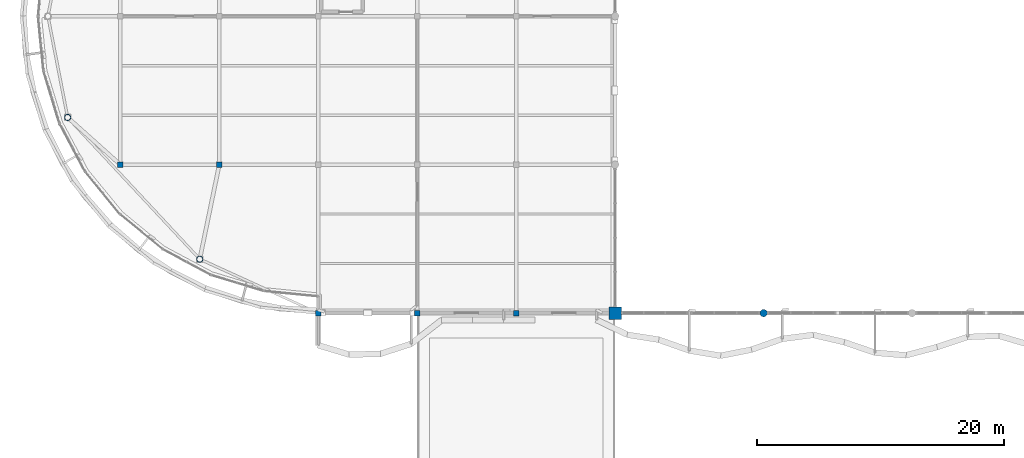
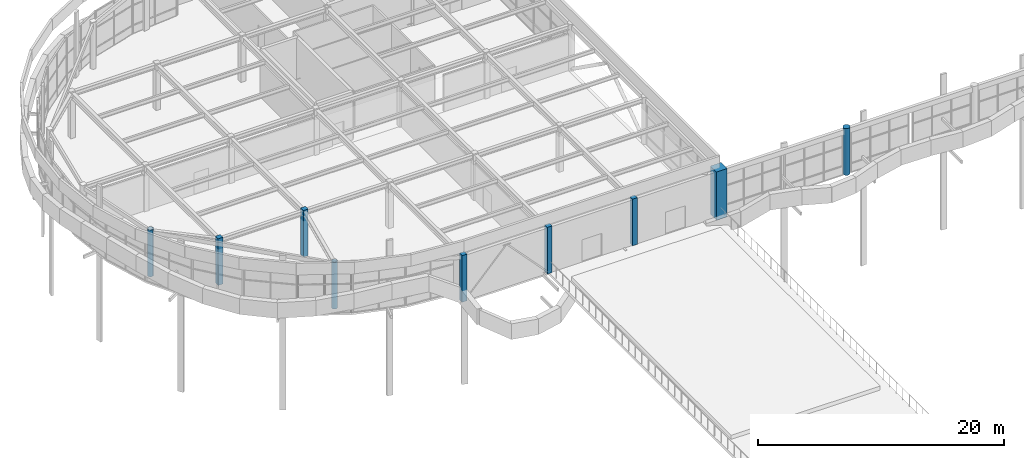
# One storey, part 1 of 63: 9 columns.
"""IFC4 building model written with IfcOpenShell, lengths in metres."""

import ifcopenshell
import ifcopenshell.guid

model = None  # the IFC model being written
_history = None  # IfcOwnerHistory: only IFC2X3 demands one
_inside = {}  # id of a spatial element -> (the spatial element, [elements in it])
_under = {}  # id of a project, library or spatial element -> (it, [spatial elements below it])
_declared = {}  # id of a project -> (the project, [libraries it declares])
_typed = {}  # id of a type object -> (the type object, [elements of that type])
_made_of = {}  # id of a material, layer set ... -> (it, [elements and type objects made of it])


def new_model(schema):
    """Start an empty IFC model of exactly this schema.

    Asked for "IFC4X3", IfcOpenShell would pick the latest addendum, in which some entities
    have other attributes; the version numbers below select the first issue.
    IFC2X3 requires an IfcOwnerHistory on every rooted entity: one is made here for all.
    """
    global model, _history
    if schema == "IFC4X3":
        model = ifcopenshell.file(schema_version=(4, 3, 0, 0))
    else:
        model = ifcopenshell.file(schema=schema)
    _inside.clear()
    _under.clear()
    _declared.clear()
    _typed.clear()
    _made_of.clear()
    _history = None
    if model.schema == "IFC2X3":
        org = make("IfcOrganization", Name="unknown")
        user = make(
            "IfcPersonAndOrganization",
            ThePerson=make("IfcPerson", FamilyName="unknown"),
            TheOrganization=org,
        )
        app = make(
            "IfcApplication",
            ApplicationDeveloper=org,
            Version="unknown",
            ApplicationFullName="unknown",
            ApplicationIdentifier="unknown",
        )
        _history = make(
            "IfcOwnerHistory",
            OwningUser=user,
            OwningApplication=app,
            ChangeAction="ADDED",
            CreationDate=0,
        )
    return model


def make(cls, **values):
    """One entity of the class cls with the attributes given. An attribute that is None is left unset."""
    return model.create_entity(
        cls, **{name: value for name, value in values.items() if value is not None}
    )


def rooted(cls, **values):
    """An entity with a GlobalId (a new one), such as an element, a storey or a relation."""
    return make(cls, GlobalId=ifcopenshell.guid.new(), OwnerHistory=_history, **values)


def si_unit(unit_type, name, prefix=None):
    """IfcSIUnit, for example si_unit("LENGTHUNIT", "METRE", prefix="MILLI")."""
    return make("IfcSIUnit", UnitType=unit_type, Prefix=prefix, Name=name)


def assignment(units):
    """IfcUnitAssignment: the units of a project."""
    return None if units is None else make("IfcUnitAssignment", Units=units)


def point(xyz):
    """IfcCartesianPoint."""
    return None if xyz is None else make("IfcCartesianPoint", Coordinates=xyz)


def direction(xyz):
    """IfcDirection."""
    return None if xyz is None else make("IfcDirection", DirectionRatios=xyz)


def frame(location, z_axis=None, x_axis=None):
    """IfcAxis2Placement3D, a coordinate frame: its origin and axes. An axis left out is left unset."""
    return make(
        "IfcAxis2Placement3D",
        Location=point(location),
        Axis=direction(z_axis),
        RefDirection=direction(x_axis),
    )


def frame_2d(location, x_axis=None):
    """IfcAxis2Placement2D, a coordinate frame in the plane: its origin and x axis."""
    return make(
        "IfcAxis2Placement2D", Location=point(location), RefDirection=direction(x_axis)
    )


def origin():
    """The frame at (0, 0, 0) with its axes left unset."""
    return frame((0.0, 0.0, 0.0))


def origin_2d():
    """The frame at (0, 0) in the plane with its x axis left unset."""
    return frame_2d((0.0, 0.0))


def place(relative_to, where):
    """IfcLocalPlacement: puts the frame where relative to a parent placement (None: the world)."""
    return make(
        "IfcLocalPlacement", PlacementRelTo=relative_to, RelativePlacement=where
    )


def context(
    kind, dimensions, precision=None, world=None, true_north=None, identifier=None
):
    """IfcGeometricRepresentationContext, for example the 3D "Model" context."""
    return make(
        "IfcGeometricRepresentationContext",
        ContextIdentifier=identifier,
        ContextType=kind,
        CoordinateSpaceDimension=dimensions,
        Precision=precision,
        WorldCoordinateSystem=world,
        TrueNorth=true_north,
    )


def subcontext(parent, identifier, kind, view, scale=None):
    """IfcGeometricRepresentationSubContext, for example "Body" below "Model"."""
    return make(
        "IfcGeometricRepresentationSubContext",
        ContextIdentifier=identifier,
        ContextType=kind,
        ParentContext=parent,
        TargetScale=scale,
        TargetView=view,
    )


def project(units=None, contexts=None):
    """IfcProject with its units and contexts."""
    return rooted(
        "IfcProject",
        Name="project",
        RepresentationContexts=contexts,
        UnitsInContext=assignment(units),
    )


def spatial(cls, under=None, at=None, **own):
    """A site, building, storey or space (cls), placed at a placement, below another one or the project."""
    s = rooted(cls, ObjectPlacement=at, **own)
    if under is not None:
        _under.setdefault(under.id(), (under, []))[1].append(s)
    return s


def profile(cls, at=None, kind="AREA", **sizes):
    """A parametric profile (cls). Its sizes go by their IFC names, for example OverallWidth=200.0."""
    return make(cls, ProfileType=kind, Position=at, **sizes)


def rectangle(**sizes):
    """IfcRectangleProfileDef."""
    return profile("IfcRectangleProfileDef", **sizes)


def circle(**sizes):
    """IfcCircleProfileDef."""
    return profile("IfcCircleProfileDef", **sizes)


def hollow_circle(**sizes):
    """IfcCircleHollowProfileDef."""
    return profile("IfcCircleHollowProfileDef", **sizes)


def extrude(swept, where, along, depth):
    """IfcExtrudedAreaSolid: the profile swept, set in the frame where, extruded along a direction by depth."""
    return make(
        "IfcExtrudedAreaSolid",
        SweptArea=swept,
        Position=where,
        ExtrudedDirection=direction(along),
        Depth=depth,
    )


def shape(context_of_items, identifier, shape_type, items):
    """IfcShapeRepresentation: the items that make up one representation, for example the "Body"."""
    return make(
        "IfcShapeRepresentation",
        ContextOfItems=context_of_items,
        RepresentationIdentifier=identifier,
        RepresentationType=shape_type,
        Items=items,
    )


def material(Name=None, Category=None):
    """IfcMaterial."""
    return make("IfcMaterial", Name=Name, Category=Category)


def material_profile(
    of_material, cross_section, Name=None, Category=None, Priority=None
):
    """IfcMaterialProfile: a cross section and its material."""
    return make(
        "IfcMaterialProfile",
        Name=Name,
        Material=of_material,
        Profile=cross_section,
        Priority=Priority,
        Category=Category,
    )


def profile_set(profiles, Name=None, composite=None):
    """IfcMaterialProfileSet."""
    return make(
        "IfcMaterialProfileSet",
        Name=Name,
        MaterialProfiles=profiles,
        CompositeProfile=composite,
    )


def made_of(thing, what):
    """Note that an element or type object is made of a material, layer set ...; save() writes the relation."""
    if what is not None:
        _made_of.setdefault(what.id(), (what, []))[1].append(thing)
    return thing


def type_object(cls, material=None, **own):
    """A type object (cls), such as IfcWallType, which elements share."""
    return made_of(rooted(cls, **own), material)


def element(
    cls,
    number,
    at=None,
    inside=None,
    cuts=None,
    type_object=None,
    material=None,
    context=None,
    identifier="Body",
    shape_type=None,
    held_by="IfcProductDefinitionShape",
    body=None,
    shapes=None,
    **own,
):
    """One element of the class cls, such as IfcWall. Its Tag is "e" and its number.

    at: its placement. inside: the storey or other place that contains it. cuts: it is an
    opening in that element (IfcRelVoidsElement). A single representation is given by context,
    identifier, shape_type and body (its items); several are given by shapes. held_by: the class
    of the entity that holds the representations. save() writes the other relations.
    """
    e = rooted(cls, Tag="e%d" % number, ObjectPlacement=at, **own)
    if body is not None:
        shapes = [shape(context, identifier, shape_type, body)]
    if shapes is not None:
        e.Representation = make(held_by, Representations=shapes)
    if inside is not None:
        _inside.setdefault(inside.id(), (inside, []))[1].append(e)
    if cuts is not None:
        rooted(
            "IfcRelVoidsElement", RelatingBuildingElement=cuts, RelatedOpeningElement=e
        )
    if type_object is not None:
        _typed.setdefault(type_object.id(), (type_object, []))[1].append(e)
    return made_of(e, material)


def aggregate(whole, parts):
    """IfcRelAggregates: a whole, such as a stair, and the parts it consists of."""
    return rooted("IfcRelAggregates", RelatingObject=whole, RelatedObjects=parts)


def save(model, path):
    """Write the relations noted so far, then the file.

    IfcRelAggregates (storeys below a building ...), IfcRelContainedInSpatialStructure (elements
    in a storey), IfcRelDefinesByType, IfcRelAssociatesMaterial and IfcRelDeclares: one each for
    every whole, place, type object, material and project.
    """
    for whole, parts in _under.values():
        aggregate(whole, parts)
    for where, things in _inside.values():
        rooted(
            "IfcRelContainedInSpatialStructure",
            RelatedElements=things,
            RelatingStructure=where,
        )
    for kind, things in _typed.values():
        rooted("IfcRelDefinesByType", RelatedObjects=things, RelatingType=kind)
    for what, things in _made_of.values():
        rooted("IfcRelAssociatesMaterial", RelatedObjects=things, RelatingMaterial=what)
    for by, libraries in _declared.values():
        rooted("IfcRelDeclares", RelatingContext=by, RelatedDefinitions=libraries)
    model.write(path)


model = new_model("IFC4")

# Units and contexts
model_context = context("Model", 3, precision=1e-05, world=origin(), true_north=direction((0.0, 1.0)))
body_context = subcontext(model_context, "Body", "Model", "MODEL_VIEW")
ifc_project = project(units=[si_unit("LENGTHUNIT", "METRE"), si_unit("AREAUNIT", "SQUARE_METRE"), si_unit("VOLUMEUNIT", "CUBIC_METRE"), si_unit("PLANEANGLEUNIT", "RADIAN"), si_unit("MASSUNIT", "GRAM", prefix="KILO")], contexts=[model_context])

# Site, building, storey
site_placement = place(None, origin())
site = spatial("IfcSite", under=ifc_project, at=site_placement, CompositionType="ELEMENT")
building_placement = place(site_placement, origin())
building = spatial("IfcBuilding", under=site, at=building_placement, Name="Keelwater Ferry Terminal", CompositionType="ELEMENT")
storey_placement = place(building_placement, frame((0.0, 0.0, 10.199951171875)))
storey = spatial("IfcBuildingStorey", under=building, at=storey_placement, Name="L02", CompositionType="ELEMENT", Elevation=10.199951171875)

# Columns
ifc_material_1 = material(Name="Concrete C45/55", Category="concrete")
ifc_material_profile_1 = material_profile(ifc_material_1, rectangle(XDim=0.449951171875, YDim=0.449951171875, at=origin_2d()), Name="RC 450x450")
ifc_profile_set_1 = profile_set([ifc_material_profile_1], Name="Concrete C45/55")
column_type_1 = type_object("IfcColumnType", Name="C5 RC 450x450", PredefinedType="COLUMN", material=ifc_profile_set_1)
for number, where, z_axis, x_axis, name in (
    (1, (8.0, 54.0, 0.0), (0.0, 0.0, 1.0), (1.0, 0.0, 0.0), "Column CL-L02-0003"),
    (2, (16.0, 54.0, 0.0), (0.0, 0.0, 1.0), (1.0, 0.0, 0.0), "Column CL-L02-0012"),
    (3, (24.0, 42.0, 0.0), (0.0, 0.0, 1.0), (1.0, 0.0, 0.0), "Column CL-L02-0021"),
    (4, (32.0, 42.0, 0.0), (0.0, 0.0, 1.0), (1.0, 0.0, 0.0), "Column CL-L02-0046"),
    (5, (40.0, 42.0, 0.0), (0.0, 0.0, 1.0), (1.0, 0.0, 0.0), "Column CL-L02-0071"),
):
    element("IfcColumn", number, at=place(storey_placement, frame(where, z_axis=z_axis, x_axis=x_axis)), inside=storey, type_object=column_type_1, Name=name, PredefinedType="COLUMN", context=body_context, shape_type="SweptSolid", body=[
        extrude(rectangle(XDim=0.449951171875, YDim=0.449951171875, at=origin_2d()), origin(), (0.0, 0.0, 1.0), 4.64013671875),
    ])
ifc_material_2 = material(Name="Concrete C45/55", Category="concrete")
ifc_material_profile_2 = material_profile(ifc_material_2, circle(Radius=0.300048828125, at=origin_2d()), Name="RC D600")
ifc_profile_set_2 = profile_set([ifc_material_profile_2], Name="Concrete C45/55")
column_type_2 = type_object("IfcColumnType", Name="C7 RC D600", PredefinedType="COLUMN", material=ifc_profile_set_2)
column_1_placement = place(storey_placement, frame((60.0, 42.0, 0.0), z_axis=(0.0, 0.0, 1.0), x_axis=(1.0, 0.0, 0.0)))
element("IfcColumn", 6, at=column_1_placement, inside=storey, type_object=column_type_2, Name="Column CL-L02-0115", PredefinedType="COLUMN", context=body_context, shape_type="SweptSolid", body=[
    extrude(circle(Radius=0.300048828125, at=origin_2d()), origin(), (0.0, 0.0, 1.0), 4.64013671875),
])
ifc_material_3 = material(Name="Steel S355", Category="steel")
ifc_material_profile_3 = material_profile(ifc_material_3, hollow_circle(Radius=0.25390625, WallThickness=0.02001953125, at=origin_2d()), Name="CHS 508x20")
ifc_profile_set_3 = profile_set([ifc_material_profile_3], Name="Steel S355")
column_type_3 = type_object("IfcColumnType", Name="C8E CHS 508x20", PredefinedType="COLUMN", material=ifc_profile_set_3)
for number, where, z_axis, x_axis, name in (
    (7, (3.740966796875, 57.81494140625, 0.0), (0.0, 0.0, 1.0), (1.0, 0.0, 0.0), "Column CL-L02-0538"),
    (8, (14.422119140625, 46.361083984375, 0.0), (0.0, 0.0, 1.0), (1.0, 0.0, 0.0), "Column CL-L02-0541"),
):
    element("IfcColumn", number, at=place(storey_placement, frame(where, z_axis=z_axis, x_axis=x_axis)), inside=storey, type_object=column_type_3, Name=name, PredefinedType="COLUMN", context=body_context, shape_type="SweptSolid", body=[
        extrude(hollow_circle(Radius=0.25390625, WallThickness=0.02001953125, at=origin_2d()), origin(), (0.0, 0.0, 1.0), 4.64013671875),
    ])
ifc_material_4 = material(Name="Concrete C50/60", Category="concrete")
ifc_material_profile_4 = material_profile(ifc_material_4, rectangle(XDim=1.0, YDim=1.0, at=origin_2d()), Name="RC 1000x1000")
ifc_profile_set_4 = profile_set([ifc_material_profile_4], Name="Concrete C50/60")
column_type_4 = type_object("IfcColumnType", Name="MC1 RC 1000x1000", PredefinedType="COLUMN", material=ifc_profile_set_4)
column_2_placement = place(storey_placement, frame((48.0, 42.0, 0.0), z_axis=(0.0, 0.0, 1.0), x_axis=(1.0, 0.0, 0.0)))
element("IfcColumn", 9, at=column_2_placement, inside=storey, type_object=column_type_4, Name="Column CL-L02-0096", PredefinedType="COLUMN", context=body_context, shape_type="SweptSolid", body=[
    extrude(rectangle(XDim=1.0, YDim=1.0, at=origin_2d()), origin(), (0.0, 0.0, 1.0), 4.800048828125),
])

save(model, "model.ifc")
